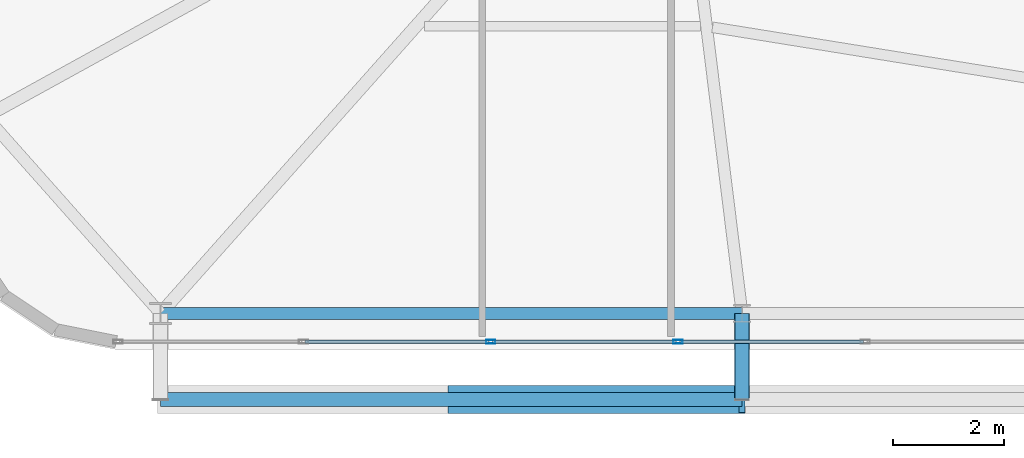
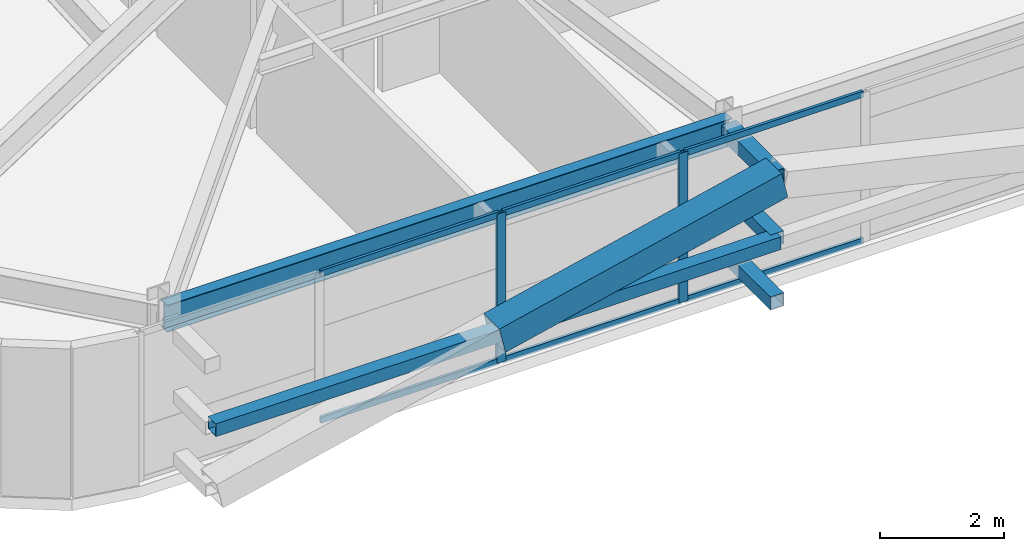
# One storey, part 6 of 59: 13 members, 1 beam, 1 element without a shape of its own.
"""IFC4 building model written with IfcOpenShell, lengths in metres."""

from ifc_helpers import new_model, si_unit, direction, frame, origin, origin_2d, place, context, subcontext, project, spatial, hollow_rectangle, i_section, extrude, source, transform, mapped, material, layer, layer_set, material_profile, profile_set, type_object, element, aggregate, save


model = new_model("IFC4")

# Units and contexts
model_context = context("Model", 3, precision=1e-05, world=origin(), true_north=direction((0.0, 1.0)))
body_context = subcontext(model_context, "Body", "Model", "MODEL_VIEW")
ifc_project = project(units=[si_unit("LENGTHUNIT", "METRE"), si_unit("AREAUNIT", "SQUARE_METRE"), si_unit("VOLUMEUNIT", "CUBIC_METRE"), si_unit("PLANEANGLEUNIT", "RADIAN"), si_unit("MASSUNIT", "GRAM", prefix="KILO")], contexts=[model_context])

# Site, building, storey
site_placement = place(None, origin())
site = spatial("IfcSite", under=ifc_project, at=site_placement, CompositionType="ELEMENT")
building_placement = place(site_placement, origin())
building = spatial("IfcBuilding", under=site, at=building_placement, Name="Taldren Reach Tower", CompositionType="ELEMENT")
storey_placement = place(building_placement, frame((0.0, 0.0, 48.300048828125)))
storey = spatial("IfcBuildingStorey", under=building, at=storey_placement, Name="L14", CompositionType="ELEMENT", Elevation=48.300048828125)

# Beam
ifc_material_1 = material(Name="Steel Gr 350 (350PLUS)", Category="steel")
ifc_material_profile_1 = material_profile(ifc_material_1, i_section(OverallWidth=0.208984375, OverallDepth=0.528076171875, WebThickness=0.009521484375, FlangeThickness=0.01318359375, at=origin_2d()), Name="530UB82.0")
ifc_profile_set_1 = profile_set([ifc_material_profile_1], Name="Steel Gr 350 (350PLUS)")
beam_type = type_object("IfcBeamType", Name="SP-UB530B", PredefinedType="SPANDREL", material=ifc_profile_set_1)
shared_shape_1 = source(origin(), body_context, "Body", "SweptSolid", [
    extrude(i_section(OverallWidth=0.208984375, OverallDepth=0.528076171875, WebThickness=0.009521484375, FlangeThickness=0.01318359375, at=origin_2d()), origin(), (0.0, 0.0, 1.0), 10.47998046875),
])
beam_placement = place(storey_placement, frame((8.800048828125, 2.14990234375, 2.666015625), z_axis=(1.0, 0.0, 0.0), x_axis=(0.0, 1.0, 0.0)))
element("IfcBeam", 1, at=beam_placement, inside=storey, type_object=beam_type, Name="Perimeter spandrel B1 S1-S2 L14", PredefinedType="SPANDREL", context=body_context, shape_type="MappedRepresentation", body=[
    mapped(shared_shape_1, transform((0.0, 0.0, 0.0), scale=1.0)),
])

# Members
ifc_material_2 = material(Name="Steel Gr 450 (C450L0)", Category="steel")
ifc_material_profile_2 = material_profile(ifc_material_2, hollow_rectangle(XDim=0.27490234375, YDim=0.27490234375, WallThickness=0.00927734375, at=origin_2d()), Name="275x275x9.3SHS")
ifc_profile_set_2 = profile_set([ifc_material_profile_2], Name="Steel Gr 450 (C450L0)")
member_type_1 = type_object("IfcMemberType", Name="MB-TIE273", PredefinedType="STRUT", material=ifc_profile_set_2)
shared_shape_2 = source(origin(), body_context, "Body", "SweptSolid", [
    extrude(hollow_rectangle(XDim=0.27490234375, YDim=0.27490234375, WallThickness=0.00927734375, at=origin_2d()), origin(), (0.0, 0.0, 1.0), 1.5498046875),
])
member_1_placement = place(storey_placement, frame((19.280029296875, 2.14990234375, 2.64990234375), z_axis=(0.0, -1.0, 0.0), x_axis=(1.0, 0.0, 0.0)))
element("IfcMember", 2, at=member_1_placement, inside=storey, type_object=member_type_1, Name="Exoskeleton diaphragm tie strut B1-S2 L14", PredefinedType="STRUT", context=body_context, shape_type="MappedRepresentation", body=[
    mapped(shared_shape_2, transform((0.0, 0.0, 0.0), scale=1.0)),
])
ifc_material_profile_3 = material_profile(ifc_material_2, hollow_rectangle(XDim=0.510009765625, YDim=0.510009765625, WallThickness=0.02001953125, at=origin_2d()), Name="510x510x20.0SHS")
ifc_profile_set_3 = profile_set([ifc_material_profile_3], Name="Steel Gr 450 (C450L0)")
member_type_2 = type_object("IfcMemberType", Name="MB-EXO508", PredefinedType="BRACE", material=ifc_profile_set_3)
shared_shape_3 = source(origin(), body_context, "Body", "SweptSolid", [
    extrude(hollow_rectangle(XDim=0.510009765625, YDim=0.510009765625, WallThickness=0.02001953125, at=origin_2d()), origin(), (0.0, 0.0, 1.0), 5.37890625),
])
member_2_placement = place(storey_placement, frame((14.0400390625, 0.60009765625, 1.43505859375), z_axis=(0.974161966843, 0.0, 0.225850531007), x_axis=(0.0, 1.0, 0.0)))
element("IfcMember", 3, at=member_2_placement, inside=storey, type_object=member_type_2, Name="Exoskeleton Diagrid Brace B1-S1 L14", PredefinedType="BRACE", context=body_context, shape_type="MappedRepresentation", body=[
    mapped(shared_shape_3, transform((0.0, 0.0, 0.0), scale=1.0)),
])
ifc_material_3 = material(Name="Steel Gr 350 (C350L0)", Category="steel")
ifc_material_profile_4 = material_profile(ifc_material_3, hollow_rectangle(XDim=0.25, YDim=0.25, WallThickness=0.010009765625, at=origin_2d()), Name="250x250x10.0SHS")
ifc_profile_set_4 = profile_set([ifc_material_profile_4], Name="Steel Gr 350 (C350L0)")
member_type_3 = type_object("IfcMemberType", Name="MB-POST250", PredefinedType="POST", material=ifc_profile_set_4)
shared_shape_4 = source(origin(), body_context, "Body", "SweptSolid", [
    extrude(hollow_rectangle(XDim=0.25, YDim=0.25, WallThickness=0.010009765625, at=origin_2d()), origin(), (0.0, 0.0, 1.0), 10.47998046875),
])
member_3_placement = place(storey_placement, frame((8.800048828125, 0.60009765625, 1.43505859375), z_axis=(1.0, 0.0, 0.0), x_axis=(0.0, 1.0, 0.0)))
element("IfcMember", 4, at=member_3_placement, inside=storey, type_object=member_type_3, Name="Exoskeleton mid-height ring chord B1-S1 L14", PredefinedType="POST", context=body_context, shape_type="MappedRepresentation", body=[
    mapped(shared_shape_4, transform((0.0, 0.0, 0.0), scale=1.0)),
])
shared_shape_5 = source(origin(), body_context, "Body", "SweptSolid", [
    extrude(hollow_rectangle(XDim=0.25, YDim=0.25, WallThickness=0.010009765625, at=origin_2d()), origin(), (0.0, 0.0, 1.0), 1.5498046875),
])
for number, where, z_axis, x_axis, name in (
    (5, (19.280029296875, 2.14990234375, 0.219970703125), (0.0, -1.0, 0.0), (1.0, 0.0, 0.0), "Exoskeleton base diaphragm tie strut B1-S2 L14"),
    (6, (19.280029296875, 2.14990234375, 1.43505859375), (0.0, -1.0, 0.0), (1.0, 0.0, 0.0), "Exoskeleton mid-tier diaphragm tie B1-S2 L14"),
):
    element("IfcMember", number, at=place(storey_placement, frame(where, z_axis=z_axis, x_axis=x_axis)), inside=storey, type_object=member_type_3, Name=name, PredefinedType="POST", context=body_context, shape_type="MappedRepresentation", body=[
        mapped(shared_shape_5, transform((0.0, 0.0, 0.0), scale=1.0)),
    ])

# Curtain wall, members
ifc_material_4 = material(Name="Aluminium and Low-E Glass Unitised System", Category="aluminium")
ifc_layer = layer(ifc_material_4, 0.159912109375)
ifc_layer_set = layer_set([ifc_layer], Name="Aluminium and Low-E Glass Unitised System")
curtain_wall_type = type_object("IfcCurtainWallType", Name="CW-SYS-2", PredefinedType="NOTDEFINED", material=ifc_layer_set)
curtain_wall_placement = place(storey_placement, origin())
curtain_wall = element("IfcCurtainWall", 7, at=curtain_wall_placement, inside=storey, type_object=curtain_wall_type, Name="Unitised curtain wall CW-L14-S", PredefinedType="NOTDEFINED")
ifc_material_5 = material(Name="Anodised Aluminium 6063-T6", Category="aluminium")
ifc_material_profile_5 = material_profile(ifc_material_5, hollow_rectangle(XDim=0.06494140625, YDim=0.1650390625, WallThickness=0.00390625, at=origin_2d()), Name="ALU-165x65x4RHS")
ifc_profile_set_5 = profile_set([ifc_material_profile_5], Name="Anodised Aluminium 6063-T6")
member_type_4 = type_object("IfcMemberType", Name="CW-MUL-165", PredefinedType="MULLION", material=ifc_profile_set_5)
shared_shape_6 = source(origin(), body_context, "Body", "SweptSolid", [
    extrude(hollow_rectangle(XDim=0.06494140625, YDim=0.1650390625, WallThickness=0.00390625, at=origin_2d()), origin(), (0.0, 0.0, 1.0), 2.929931640625),
])
member_4_placement = place(storey_placement, frame((14.75, 1.639892578125, 0.0), z_axis=(0.0, 0.0, 1.0), x_axis=(0.0, 1.0, 0.0)))
member_4 = element("IfcMember", 8, at=member_4_placement, type_object=member_type_4, Name="CW-2 mullion 3", PredefinedType="MULLION", context=body_context, shape_type="MappedRepresentation", body=[
    mapped(shared_shape_6, transform((0.0, 0.0, 0.0), scale=1.0)),
])
member_5_placement = place(storey_placement, frame((18.125, 1.639892578125, 0.0), z_axis=(0.0, 0.0, 1.0), x_axis=(0.0, 1.0, 0.0)))
member_5 = element("IfcMember", 9, at=member_5_placement, type_object=member_type_4, Name="CW-2 mullion 4", PredefinedType="MULLION", context=body_context, shape_type="MappedRepresentation", body=[
    mapped(shared_shape_6, transform((0.0, 0.0, 0.0), scale=1.0)),
])
ifc_material_profile_6 = material_profile(ifc_material_5, hollow_rectangle(XDim=0.054931640625, YDim=0.1201171875, WallThickness=0.0029296875, at=origin_2d()), Name="ALU-120x55x3RHS")
ifc_profile_set_6 = profile_set([ifc_material_profile_6], Name="Anodised Aluminium 6063-T6")
member_type_5 = type_object("IfcMemberType", Name="CW-TRN-135", PredefinedType="USERDEFINED", material=ifc_profile_set_6)
shared_shape_7 = source(origin(), body_context, "Body", "SweptSolid", [
    extrude(hollow_rectangle(XDim=0.054931640625, YDim=0.1201171875, WallThickness=0.0029296875, at=origin_2d()), origin(), (0.0, 0.0, 1.0), 3.31005859375),
])
member_6_placement = place(storey_placement, frame((11.407470703125, 1.639892578125, 0.02734375), z_axis=(1.0, 0.0, 0.0), x_axis=(0.0, 1.0, 0.0)))
member_6 = element("IfcMember", 10, at=member_6_placement, type_object=member_type_5, Name="CW-2 transom 2.1", ObjectType="TRANSOM", PredefinedType="USERDEFINED", context=body_context, shape_type="MappedRepresentation", body=[
    mapped(shared_shape_7, transform((0.0, 0.0, 0.0), scale=1.0)),
])
member_7_placement = place(storey_placement, frame((11.407470703125, 1.639892578125, 2.90234375), z_axis=(1.0, 0.0, 0.0), x_axis=(0.0, 1.0, 0.0)))
member_7 = element("IfcMember", 11, at=member_7_placement, type_object=member_type_5, Name="CW-2 transom 2.2", ObjectType="TRANSOM", PredefinedType="USERDEFINED", context=body_context, shape_type="MappedRepresentation", body=[
    mapped(shared_shape_7, transform((0.0, 0.0, 0.0), scale=1.0)),
])
member_8_placement = place(storey_placement, frame((14.782470703125, 1.639892578125, 0.02734375), z_axis=(1.0, 0.0, 0.0), x_axis=(0.0, 1.0, 0.0)))
member_8 = element("IfcMember", 12, at=member_8_placement, type_object=member_type_5, Name="CW-2 transom 3.1", ObjectType="TRANSOM", PredefinedType="USERDEFINED", context=body_context, shape_type="MappedRepresentation", body=[
    mapped(shared_shape_7, transform((0.0, 0.0, 0.0), scale=1.0)),
])
member_9_placement = place(storey_placement, frame((14.782470703125, 1.639892578125, 2.90234375), z_axis=(1.0, 0.0, 0.0), x_axis=(0.0, 1.0, 0.0)))
member_9 = element("IfcMember", 13, at=member_9_placement, type_object=member_type_5, Name="CW-2 transom 3.2", ObjectType="TRANSOM", PredefinedType="USERDEFINED", context=body_context, shape_type="MappedRepresentation", body=[
    mapped(shared_shape_7, transform((0.0, 0.0, 0.0), scale=1.0)),
])
member_10_placement = place(storey_placement, frame((18.157470703125, 1.639892578125, 0.02734375), z_axis=(1.0, 0.0, 0.0), x_axis=(0.0, 1.0, 0.0)))
member_10 = element("IfcMember", 14, at=member_10_placement, type_object=member_type_5, Name="CW-2 transom 4.1", ObjectType="TRANSOM", PredefinedType="USERDEFINED", context=body_context, shape_type="MappedRepresentation", body=[
    mapped(shared_shape_7, transform((0.0, 0.0, 0.0), scale=1.0)),
])
member_11_placement = place(storey_placement, frame((18.157470703125, 1.639892578125, 2.90234375), z_axis=(1.0, 0.0, 0.0), x_axis=(0.0, 1.0, 0.0)))
member_11 = element("IfcMember", 15, at=member_11_placement, type_object=member_type_5, Name="CW-2 transom 4.2", ObjectType="TRANSOM", PredefinedType="USERDEFINED", context=body_context, shape_type="MappedRepresentation", body=[
    mapped(shared_shape_7, transform((0.0, 0.0, 0.0), scale=1.0)),
])
aggregate(curtain_wall, [member_4, member_5, member_6, member_7, member_8, member_9, member_10, member_11])

save(model, "model.ifc")
